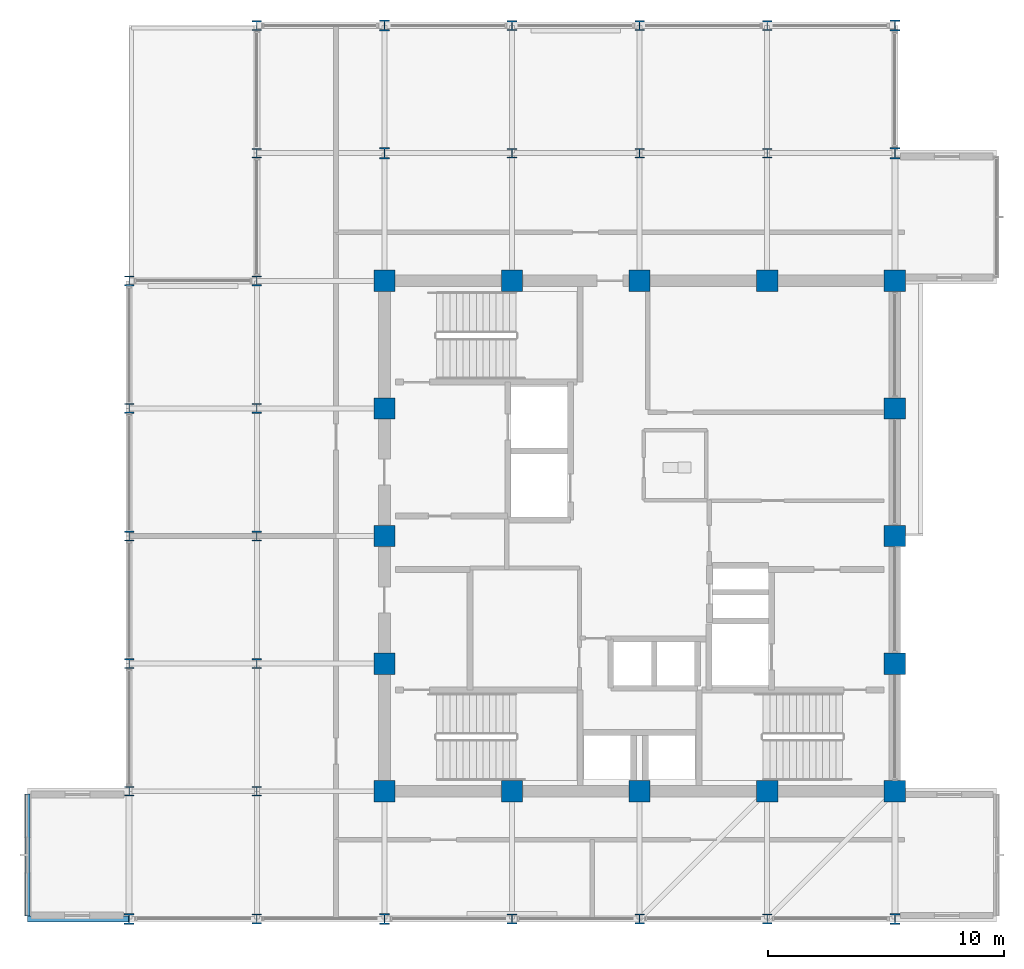
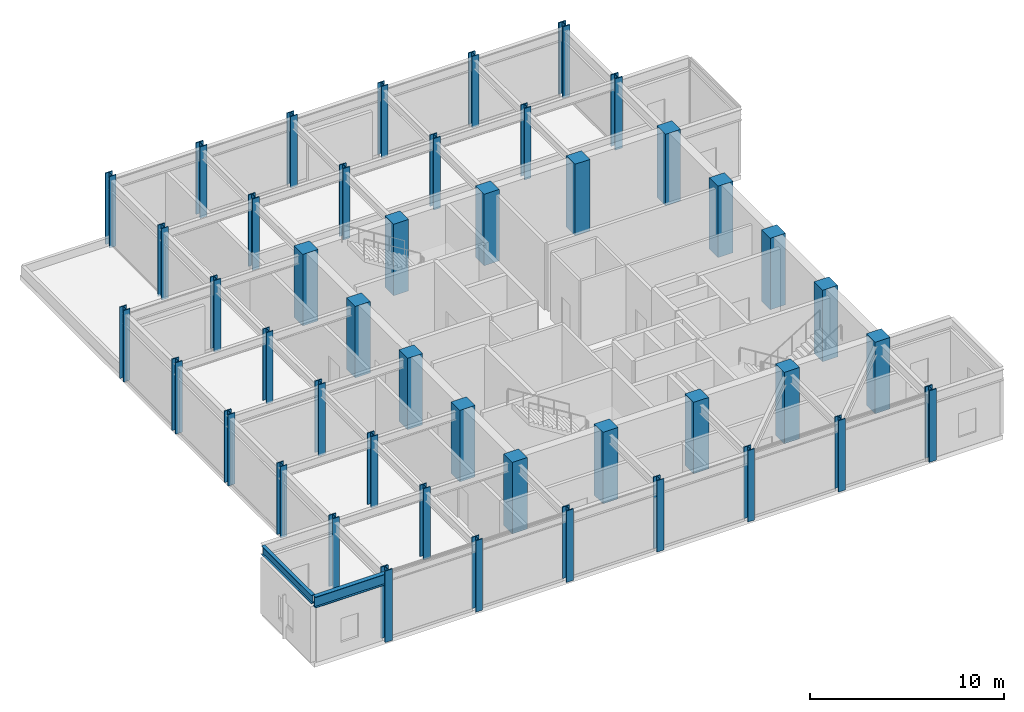
# One storey, part 1 of 22: 45 columns, 2 beams.
"""IFC4 building model written with IfcOpenShell, lengths in metres."""

from ifc_helpers import new_model, si_unit, direction, frame, origin, origin_2d, place, context, subcontext, project, spatial, rectangle, i_section, extrude, material, material_profile, profile_set, type_object, element, save


model = new_model("IFC4")

# Units and contexts
model_context = context("Model", 3, precision=1e-05, world=origin(), true_north=direction((0.0, 1.0)))
body_context = subcontext(model_context, "Body", "Model", "MODEL_VIEW")
ifc_project = project(units=[si_unit("LENGTHUNIT", "METRE"), si_unit("AREAUNIT", "SQUARE_METRE"), si_unit("VOLUMEUNIT", "CUBIC_METRE"), si_unit("PLANEANGLEUNIT", "RADIAN"), si_unit("MASSUNIT", "GRAM", prefix="KILO")], contexts=[model_context])

# Site, building, storey
site_placement = place(None, origin())
site = spatial("IfcSite", under=ifc_project, at=site_placement, CompositionType="ELEMENT")
building_placement = place(site_placement, origin())
building = spatial("IfcBuilding", under=site, at=building_placement, Name="Surkhivell Harbour Commons", CompositionType="ELEMENT")
storey_placement = place(building_placement, frame((0.0, 0.0, 342.0)))
storey = spatial("IfcBuildingStorey", under=building, at=storey_placement, Name="L89", CompositionType="ELEMENT", Elevation=342.0)

# Columns
ifc_material_1 = material(Name="Steel S460", Category="steel")
ifc_material_profile_1 = material_profile(ifc_material_1, i_section(OverallWidth=0.424072265625, OverallDepth=0.47412109375, WebThickness=0.04296875, FlangeThickness=0.06494140625, at=origin_2d()), Name="HD400x634")
ifc_profile_set_1 = profile_set([ifc_material_profile_1], Name="Steel S460")
column_type_1 = type_object("IfcColumnType", Name="COL-CRN-HD400", PredefinedType="COLUMN", material=ifc_profile_set_1)
for number, where, z_axis, x_axis, name in (
    (1, (-21.60009765625, -16.199951171875, 0.0), (0.0, 0.0, 1.0), (1.0, 0.0, 0.0), "L89 Column CCRN-1 (-21.6,-16.2)"),
    (2, (-10.800048828125, -16.199951171875, 0.0), (0.0, 0.0, 1.0), (1.0, 0.0, 0.0), "L89 Column CCRN-1 (-10.8,-16.2)"),
    (3, (-10.800048828125, 16.199951171875, 0.0), (0.0, 0.0, 1.0), (1.0, 0.0, 0.0), "L89 Column CCRN-1 (-10.8,16.2)"),
    (4, (-10.800048828125, 21.60009765625, 0.0), (0.0, 0.0, 1.0), (1.0, 0.0, 0.0), "L89 Column CCRN-1 (-10.8,21.6)"),
    (5, (10.800048828125, -16.199951171875, 0.0), (0.0, 0.0, 1.0), (1.0, 0.0, 0.0), "L89 Column CCRN-1 (10.8,-16.2)"),
    (6, (10.800048828125, 16.199951171875, 0.0), (0.0, 0.0, 1.0), (1.0, 0.0, 0.0), "L89 Column CCRN-1 (10.8,16.2)"),
    (7, (10.800048828125, 21.60009765625, 0.0), (0.0, 0.0, 1.0), (1.0, 0.0, 0.0), "L89 Column CCRN-1 (10.8,21.6)"),
):
    element("IfcColumn", number, at=place(storey_placement, frame(where, z_axis=z_axis, x_axis=x_axis)), inside=storey, type_object=column_type_1, Name=name, PredefinedType="COLUMN", context=body_context, shape_type="SweptSolid", body=[
        extrude(i_section(OverallWidth=0.424072265625, OverallDepth=0.47412109375, WebThickness=0.04296875, FlangeThickness=0.06494140625, at=origin_2d()), origin(), (0.0, 0.0, 1.0), 4.5),
    ])
ifc_material_profile_2 = material_profile(ifc_material_1, i_section(OverallWidth=0.406982421875, OverallDepth=0.4189453125, WebThickness=0.030517578125, FlangeThickness=0.04931640625, at=origin_2d()), Name="UC356x406x393")
ifc_profile_set_2 = profile_set([ifc_material_profile_2], Name="Steel S460")
column_type_2 = type_object("IfcColumnType", Name="COL-CRN-UC356", PredefinedType="COLUMN", material=ifc_profile_set_2)
for number, where, z_axis, x_axis, name in (
    (8, (-21.60009765625, -10.800048828125, 0.0), (0.0, 0.0, 1.0), (1.0, 0.0, 0.0), "L89 Column CCRN-2 (-21.6,-10.8)"),
    (9, (-21.60009765625, -5.39990234375, 0.0), (0.0, 0.0, 1.0), (1.0, 0.0, 0.0), "L89 Column CCRN-2 (-21.6,-5.4)"),
    (10, (-21.60009765625, 0.0, 0.0), (0.0, 0.0, 1.0), (1.0, 0.0, 0.0), "L89 Column CCRN-2 (-21.6,0.0)"),
    (11, (-21.60009765625, 5.39990234375, 0.0), (0.0, 0.0, 1.0), (1.0, 0.0, 0.0), "L89 Column CCRN-2 (-21.6,5.4)"),
    (12, (-21.60009765625, 10.800048828125, 0.0), (0.0, 0.0, 1.0), (1.0, 0.0, 0.0), "L89 Column CCRN-2 (-21.6,10.8)"),
    (13, (-16.199951171875, -16.199951171875, 0.0), (0.0, 0.0, 1.0), (1.0, 0.0, 0.0), "L89 Column CCRN-2 (-16.2,-16.2)"),
    (14, (-16.199951171875, -10.800048828125, 0.0), (0.0, 0.0, 1.0), (1.0, 0.0, 0.0), "L89 Column CCRN-2 (-16.2,-10.8)"),
    (15, (-16.199951171875, -5.39990234375, 0.0), (0.0, 0.0, 1.0), (1.0, 0.0, 0.0), "L89 Column CCRN-2 (-16.2,-5.4)"),
    (16, (-16.199951171875, 0.0, 0.0), (0.0, 0.0, 1.0), (1.0, 0.0, 0.0), "L89 Column CCRN-2 (-16.2,0.0)"),
    (17, (-16.199951171875, 5.39990234375, 0.0), (0.0, 0.0, 1.0), (1.0, 0.0, 0.0), "L89 Column CCRN-2 (-16.2,5.4)"),
    (18, (-16.199951171875, 10.800048828125, 0.0), (0.0, 0.0, 1.0), (1.0, 0.0, 0.0), "L89 Column CCRN-2 (-16.2,10.8)"),
    (19, (-16.199951171875, 16.199951171875, 0.0), (0.0, 0.0, 1.0), (1.0, 0.0, 0.0), "L89 Column CCRN-2 (-16.2,16.2)"),
    (20, (-16.199951171875, 21.60009765625, 0.0), (0.0, 0.0, 1.0), (1.0, 0.0, 0.0), "L89 Column CCRN-2 (-16.2,21.6)"),
    (21, (-5.39990234375, -16.199951171875, 0.0), (0.0, 0.0, 1.0), (1.0, 0.0, 0.0), "L89 Column CCRN-2 (-5.4,-16.2)"),
    (22, (-5.39990234375, 16.199951171875, 0.0), (0.0, 0.0, 1.0), (1.0, 0.0, 0.0), "L89 Column CCRN-2 (-5.4,16.2)"),
    (23, (-5.39990234375, 21.60009765625, 0.0), (0.0, 0.0, 1.0), (1.0, 0.0, 0.0), "L89 Column CCRN-2 (-5.4,21.6)"),
    (24, (0.0, -16.199951171875, 0.0), (0.0, 0.0, 1.0), (1.0, 0.0, 0.0), "L89 Column CCRN-2 (0.0,-16.2)"),
    (25, (0.0, 16.199951171875, 0.0), (0.0, 0.0, 1.0), (1.0, 0.0, 0.0), "L89 Column CCRN-2 (0.0,16.2)"),
    (26, (0.0, 21.60009765625, 0.0), (0.0, 0.0, 1.0), (1.0, 0.0, 0.0), "L89 Column CCRN-2 (0.0,21.6)"),
    (27, (5.39990234375, -16.199951171875, 0.0), (0.0, 0.0, 1.0), (1.0, 0.0, 0.0), "L89 Column CCRN-2 (5.4,-16.2)"),
    (28, (5.39990234375, 16.199951171875, 0.0), (0.0, 0.0, 1.0), (1.0, 0.0, 0.0), "L89 Column CCRN-2 (5.4,16.2)"),
    (29, (5.39990234375, 21.60009765625, 0.0), (0.0, 0.0, 1.0), (1.0, 0.0, 0.0), "L89 Column CCRN-2 (5.4,21.6)"),
):
    element("IfcColumn", number, at=place(storey_placement, frame(where, z_axis=z_axis, x_axis=x_axis)), inside=storey, type_object=column_type_2, Name=name, PredefinedType="COLUMN", context=body_context, shape_type="SweptSolid", body=[
        extrude(i_section(OverallWidth=0.406982421875, OverallDepth=0.4189453125, WebThickness=0.030517578125, FlangeThickness=0.04931640625, at=origin_2d()), origin(), (0.0, 0.0, 1.0), 4.5),
    ])
ifc_material_2 = material(Name="Concrete C60/75", Category="concrete")
ifc_material_profile_3 = material_profile(ifc_material_2, rectangle(XDim=0.89990234375, YDim=0.89990234375, at=origin_2d()), Name="RC-COL-900x900")
ifc_profile_set_3 = profile_set([ifc_material_profile_3], Name="Concrete C60/75")
column_type_3 = type_object("IfcColumnType", Name="COL-TUBE-Z3A", PredefinedType="COLUMN", material=ifc_profile_set_3)
for number, where, z_axis, x_axis, name in (
    (30, (-10.800048828125, -10.800048828125, 0.0), (0.0, 0.0, 1.0), (1.0, 0.0, 0.0), "L89 Column CT-3A (-10.8,-10.8)"),
    (31, (-10.800048828125, -5.39990234375, 0.0), (0.0, 0.0, 1.0), (1.0, 0.0, 0.0), "L89 Column CT-3A (-10.8,-5.4)"),
    (32, (-10.800048828125, 0.0, 0.0), (0.0, 0.0, 1.0), (1.0, 0.0, 0.0), "L89 Column CT-3A (-10.8,0.0)"),
    (33, (-10.800048828125, 5.39990234375, 0.0), (0.0, 0.0, 1.0), (1.0, 0.0, 0.0), "L89 Column CT-3A (-10.8,5.4)"),
    (34, (-10.800048828125, 10.800048828125, 0.0), (0.0, 0.0, 1.0), (1.0, 0.0, 0.0), "L89 Column CT-3A (-10.8,10.8)"),
    (35, (-5.39990234375, -10.800048828125, 0.0), (0.0, 0.0, 1.0), (1.0, 0.0, 0.0), "L89 Column CT-3A (-5.4,-10.8)"),
    (36, (-5.39990234375, 10.800048828125, 0.0), (0.0, 0.0, 1.0), (1.0, 0.0, 0.0), "L89 Column CT-3A (-5.4,10.8)"),
    (37, (0.0, -10.800048828125, 0.0), (0.0, 0.0, 1.0), (1.0, 0.0, 0.0), "L89 Column CT-3A (0.0,-10.8)"),
    (38, (0.0, 10.800048828125, 0.0), (0.0, 0.0, 1.0), (1.0, 0.0, 0.0), "L89 Column CT-3A (0.0,10.8)"),
    (39, (5.39990234375, -10.800048828125, 0.0), (0.0, 0.0, 1.0), (1.0, 0.0, 0.0), "L89 Column CT-3A (5.4,-10.8)"),
    (40, (5.39990234375, 10.800048828125, 0.0), (0.0, 0.0, 1.0), (1.0, 0.0, 0.0), "L89 Column CT-3A (5.4,10.8)"),
    (41, (10.800048828125, -10.800048828125, 0.0), (0.0, 0.0, 1.0), (1.0, 0.0, 0.0), "L89 Column CT-3A (10.8,-10.8)"),
    (42, (10.800048828125, -5.39990234375, 0.0), (0.0, 0.0, 1.0), (1.0, 0.0, 0.0), "L89 Column CT-3A (10.8,-5.4)"),
    (43, (10.800048828125, 0.0, 0.0), (0.0, 0.0, 1.0), (1.0, 0.0, 0.0), "L89 Column CT-3A (10.8,0.0)"),
    (44, (10.800048828125, 5.39990234375, 0.0), (0.0, 0.0, 1.0), (1.0, 0.0, 0.0), "L89 Column CT-3A (10.8,5.4)"),
    (45, (10.800048828125, 10.800048828125, 0.0), (0.0, 0.0, 1.0), (1.0, 0.0, 0.0), "L89 Column CT-3A (10.8,10.8)"),
):
    element("IfcColumn", number, at=place(storey_placement, frame(where, z_axis=z_axis, x_axis=x_axis)), inside=storey, type_object=column_type_3, Name=name, PredefinedType="COLUMN", context=body_context, shape_type="SweptSolid", body=[
        extrude(rectangle(XDim=0.89990234375, YDim=0.89990234375, at=origin_2d()), origin(), (0.0, 0.0, 1.0), 4.5),
    ])

# Beams
ifc_material_profile_4 = material_profile(ifc_material_1, i_section(OverallWidth=0.256103515625, OverallDepth=0.693115234375, WebThickness=0.014404296875, FlangeThickness=0.023681640625, at=origin_2d()), Name="UB686x254x170")
ifc_profile_set_4 = profile_set([ifc_material_profile_4], Name="Steel S460")
beam_type_1 = type_object("IfcBeamType", Name="BM-CNT-686", PredefinedType="BEAM", material=ifc_profile_set_4)
beam_1_placement = place(storey_placement, frame((-21.60009765625, -16.199951171875, 3.87353515625), z_axis=(-1.0, 0.0, 0.0), x_axis=(0.0, -1.0, 0.0)))
element("IfcBeam", 46, at=beam_1_placement, inside=storey, type_object=beam_type_1, Name="L89 Box Cantilever Outrigger (-21.6,-16.2)", PredefinedType="BEAM", context=body_context, shape_type="SweptSolid", body=[
    extrude(i_section(OverallWidth=0.256103515625, OverallDepth=0.693115234375, WebThickness=0.014404296875, FlangeThickness=0.023681640625, at=origin_2d()), origin(), (0.0, 0.0, 1.0), 4.2998046875),
])
ifc_material_3 = material(Name="Steel S355", Category="steel")
ifc_material_profile_5 = material_profile(ifc_material_3, i_section(OverallWidth=0.2099609375, OverallDepth=0.537109375, WebThickness=0.0107421875, FlangeThickness=0.017333984375, at=origin_2d()), Name="UB533x210x101")
ifc_profile_set_5 = profile_set([ifc_material_profile_5], Name="Steel S355")
beam_type_2 = type_object("IfcBeamType", Name="BM-GRD-533B", PredefinedType="BEAM", material=ifc_profile_set_5)
beam_2_placement = place(storey_placement, frame((-25.89990234375, -16.077880859375, 3.951416015625), z_axis=(0.0, 1.0, 0.0), x_axis=(-1.0, 0.0, 0.0)))
element("IfcBeam", 47, at=beam_2_placement, inside=storey, type_object=beam_type_2, Name="L89 Box Rim Spandrel (-25.9,-16.2)", PredefinedType="BEAM", context=body_context, shape_type="SweptSolid", body=[
    extrude(i_section(OverallWidth=0.2099609375, OverallDepth=0.537109375, WebThickness=0.0107421875, FlangeThickness=0.017333984375, at=origin_2d()), origin(), (0.0, 0.0, 1.0), 5.15576171875),
])

save(model, "model.ifc")
